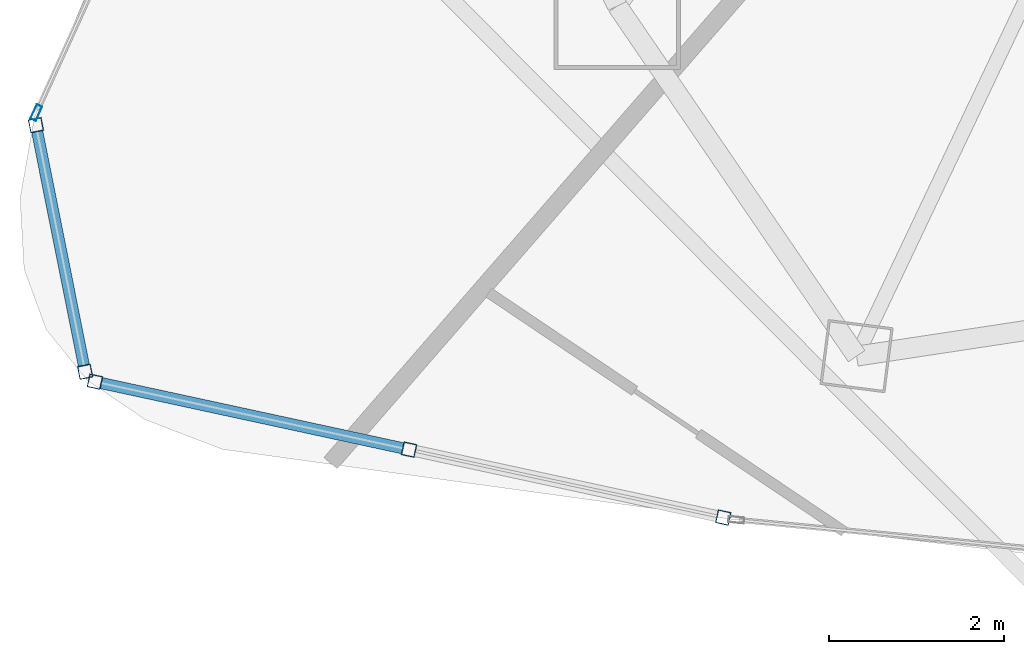
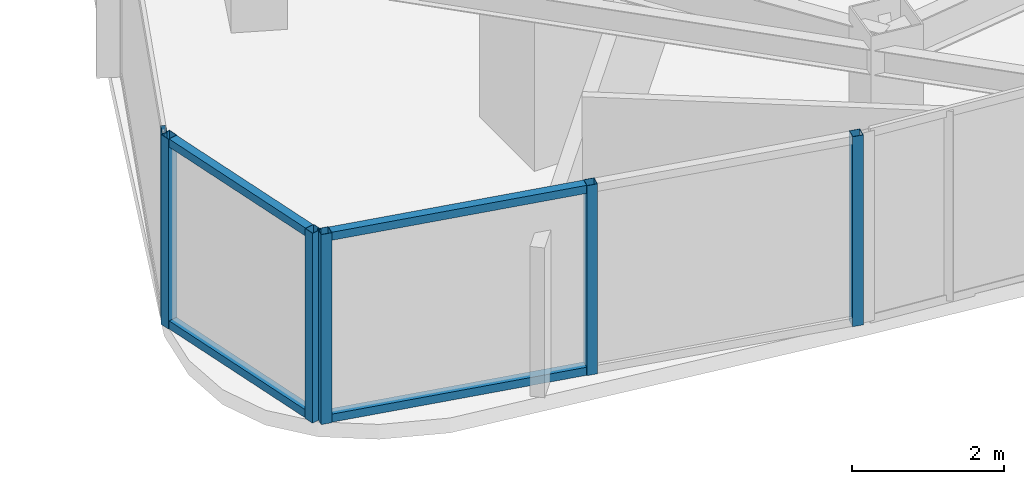
# One storey, part 2 of 30: 10 members, 3 elements without a shape of their own.
"""IFC4 building model written with IfcOpenShell, lengths in metres."""

from ifc_helpers import new_model, si_unit, direction, frame, origin, origin_2d, place, context, subcontext, project, spatial, hollow_rectangle, extrude, material, layer, layer_set, material_profile, profile_set, type_object, element, aggregate, save


model = new_model("IFC4")

# Units and contexts
model_context = context("Model", 3, precision=1e-05, world=origin(), true_north=direction((0.0, 1.0)))
body_context = subcontext(model_context, "Body", "Model", "MODEL_VIEW")
ifc_project = project(units=[si_unit("LENGTHUNIT", "METRE"), si_unit("AREAUNIT", "SQUARE_METRE"), si_unit("VOLUMEUNIT", "CUBIC_METRE"), si_unit("PLANEANGLEUNIT", "RADIAN"), si_unit("MASSUNIT", "GRAM", prefix="KILO")], contexts=[model_context])

# Site, building, storey
site_placement = place(None, origin())
site = spatial("IfcSite", under=ifc_project, at=site_placement, CompositionType="ELEMENT")
building_placement = place(site_placement, origin())
building = spatial("IfcBuilding", under=site, at=building_placement, Name="Orvanel Arch Residences", CompositionType="ELEMENT")
storey_placement = place(building_placement, frame((0.0, 0.0, 139.699951171875)))
storey = spatial("IfcBuildingStorey", under=building, at=storey_placement, Name="L39", CompositionType="ELEMENT", Elevation=139.699951171875)

# Curtain wall, members
ifc_material = material(Name="Bronze-anodised aluminium AA6063-T6", Category="aluminium")
ifc_layer_1 = layer(ifc_material, 0.18994140625)
ifc_layer_set_1 = layer_set([ifc_layer_1], Name="Bronze-anodised aluminium AA6063-T6")
curtain_wall_type_1 = type_object("IfcCurtainWallType", Name="CW5-CRN-SYS", PredefinedType="NOTDEFINED", material=ifc_layer_set_1)
curtain_wall_1_placement = place(storey_placement, origin())
curtain_wall_1 = element("IfcCurtainWall", 1, at=curtain_wall_1_placement, inside=storey, type_object=curtain_wall_type_1, Name="L39 CW5-CRN-SYS Unitised Curtain Wall", PredefinedType="NOTDEFINED")
ifc_material_profile_1 = material_profile(ifc_material, hollow_rectangle(XDim=0.14990234375, YDim=0.14990234375, WallThickness=0.0048828125, at=origin_2d()), Name="ALU150x150x5")
ifc_profile_set_1 = profile_set([ifc_material_profile_1], Name="Bronze-anodised aluminium AA6063-T6")
member_type_1 = type_object("IfcMemberType", Name="MUL-150x150", PredefinedType="MULLION", material=ifc_profile_set_1)
member_1_placement = place(storey_placement, frame((7.53759765625, 8.9853515625, 0.0), z_axis=(0.0, 0.0, 1.0), x_axis=(0.980682040612, 0.195608627675, 0.0)))
member_1 = element("IfcMember", 2, at=member_1_placement, type_object=member_type_1, Name="CW-S5 mullion 1", PredefinedType="MULLION", context=body_context, shape_type="SweptSolid", body=[
    extrude(hollow_rectangle(XDim=0.14990234375, YDim=0.14990234375, WallThickness=0.0048828125, at=origin_2d()), origin(), (0.0, 0.0, 1.0), 3.06005859375),
])
member_2_placement = place(storey_placement, frame((8.101318359375, 6.15966796875, 0.0), z_axis=(0.0, 0.0, 1.0), x_axis=(0.980682040612, 0.195608627675, 0.0)))
member_2 = element("IfcMember", 3, at=member_2_placement, type_object=member_type_1, Name="CW-S5 mullion 2", PredefinedType="MULLION", context=body_context, shape_type="SweptSolid", body=[
    extrude(hollow_rectangle(XDim=0.14990234375, YDim=0.14990234375, WallThickness=0.0048828125, at=origin_2d()), origin(), (0.0, 0.0, 1.0), 3.06005859375),
])

curtain_wall_2_placement = place(storey_placement, origin())
curtain_wall_2 = element("IfcCurtainWall", 4, at=curtain_wall_2_placement, inside=storey, type_object=curtain_wall_type_1, Name="L39 CW5-CRN-SYS Unitised Curtain Wall", PredefinedType="NOTDEFINED")
member_3_placement = place(storey_placement, frame((8.21337890625, 6.046142578125, 0.0), z_axis=(0.0, 0.0, 1.0), x_axis=(0.211391186041, 0.977401537989, 0.0)))
member_3 = element("IfcMember", 5, at=member_3_placement, type_object=member_type_1, Name="CW-S5 mullion 1", PredefinedType="MULLION", context=body_context, shape_type="SweptSolid", body=[
    extrude(hollow_rectangle(XDim=0.14990234375, YDim=0.14990234375, WallThickness=0.0048828125, at=origin_2d()), origin(), (0.0, 0.0, 1.0), 3.06005859375),
])
member_4_placement = place(storey_placement, frame((11.8134765625, 5.267578125, 0.0), z_axis=(0.0, 0.0, 1.0), x_axis=(0.211391186041, 0.977401537989, 0.0)))
member_4 = element("IfcMember", 6, at=member_4_placement, type_object=member_type_1, Name="CW-S5 mullion 2", PredefinedType="MULLION", context=body_context, shape_type="SweptSolid", body=[
    extrude(hollow_rectangle(XDim=0.14990234375, YDim=0.14990234375, WallThickness=0.0048828125, at=origin_2d()), origin(), (0.0, 0.0, 1.0), 3.06005859375),
])
member_5_placement = place(storey_placement, frame((15.41357421875, 4.48876953125, 0.0), z_axis=(0.0, 0.0, 1.0), x_axis=(0.211391186041, 0.977401537989, 0.0)))
member_5 = element("IfcMember", 7, at=member_5_placement, type_object=member_type_1, Name="CW-S5 mullion 3", PredefinedType="MULLION", context=body_context, shape_type="SweptSolid", body=[
    extrude(hollow_rectangle(XDim=0.14990234375, YDim=0.14990234375, WallThickness=0.0048828125, at=origin_2d()), origin(), (0.0, 0.0, 1.0), 3.06005859375),
])

# Curtain wall, member
ifc_layer_2 = layer(ifc_material, 0.179931640625)
ifc_layer_set_2 = layer_set([ifc_layer_2], Name="Bronze-anodised aluminium AA6063-T6")
curtain_wall_type_2 = type_object("IfcCurtainWallType", Name="CW3-MID-SYS", PredefinedType="NOTDEFINED", material=ifc_layer_set_2)
curtain_wall_3_placement = place(storey_placement, origin())
curtain_wall_3 = element("IfcCurtainWall", 8, at=curtain_wall_3_placement, inside=storey, type_object=curtain_wall_type_2, Name="L39 CW3-MID-SYS Unitised Curtain Wall", PredefinedType="NOTDEFINED")
ifc_material_profile_2 = material_profile(ifc_material, hollow_rectangle(XDim=0.070068359375, YDim=0.179931640625, WallThickness=0.00439453125, at=origin_2d()), Name="ALU180x70x4.5")
ifc_profile_set_2 = profile_set([ifc_material_profile_2], Name="Bronze-anodised aluminium AA6063-T6")
member_type_2 = type_object("IfcMemberType", Name="MUL-180x70", PredefinedType="MULLION", material=ifc_profile_set_2)
member_6_placement = place(storey_placement, frame((7.54150390625, 9.12890625, 0.0), z_axis=(0.0, 0.0, 1.0), x_axis=(0.910449142842, -0.413621032225, 0.0)))
member_6 = element("IfcMember", 9, at=member_6_placement, type_object=member_type_2, Name="CW-S3 mullion 4", PredefinedType="MULLION", context=body_context, shape_type="SweptSolid", body=[
    extrude(hollow_rectangle(XDim=0.070068359375, YDim=0.179931640625, WallThickness=0.00439453125, at=origin_2d()), origin(), (0.0, 0.0, 1.0), 3.06005859375),
])
aggregate(curtain_wall_3, [member_6])

# Member
ifc_material_profile_3 = material_profile(ifc_material, hollow_rectangle(XDim=0.1298828125, YDim=0.1298828125, WallThickness=0.00439453125, at=origin_2d()), Name="ALU130x130x4.5")
ifc_profile_set_3 = profile_set([ifc_material_profile_3], Name="Bronze-anodised aluminium AA6063-T6")
member_type_3 = type_object("IfcMemberType", Name="TRN-130x130", PredefinedType="USERDEFINED", material=ifc_profile_set_3)
member_7_placement = place(storey_placement, frame((7.55224609375, 8.911865234375, 0.06494140625), z_axis=(0.195652026594, -0.980673383186, 0.0), x_axis=(0.980673383186, 0.195652026594, 0.0)))
member_7 = element("IfcMember", 10, at=member_7_placement, type_object=member_type_3, Name="CW-S5 transom 1.1", ObjectType="TRANSOM", PredefinedType="USERDEFINED", context=body_context, shape_type="SweptSolid", body=[
    extrude(hollow_rectangle(XDim=0.1298828125, YDim=0.1298828125, WallThickness=0.00439453125, at=origin_2d()), origin(), (0.0, 0.0, 1.0), 2.7314453125),
])

member_8_placement = place(storey_placement, frame((7.55224609375, 8.911865234375, 2.9951171875), z_axis=(0.195652026594, -0.980673383186, 0.0), x_axis=(0.980673383186, 0.195652026594, 0.0)))
member_8 = element("IfcMember", 11, at=member_8_placement, type_object=member_type_3, Name="CW-S5 transom 1.2", ObjectType="TRANSOM", PredefinedType="USERDEFINED", context=body_context, shape_type="SweptSolid", body=[
    extrude(hollow_rectangle(XDim=0.1298828125, YDim=0.1298828125, WallThickness=0.00439453125, at=origin_2d()), origin(), (0.0, 0.0, 1.0), 2.7314453125),
])

aggregate(curtain_wall_1, [member_1, member_2, member_7, member_8])

member_9_placement = place(storey_placement, frame((8.28662109375, 6.0302734375, 0.06494140625), z_axis=(0.977408379086, -0.211359552639, 0.0), x_axis=(0.211359552639, 0.977408379086, 0.0)))
member_9 = element("IfcMember", 12, at=member_9_placement, type_object=member_type_3, Name="CW-S5 transom 1.1", ObjectType="TRANSOM", PredefinedType="USERDEFINED", context=body_context, shape_type="SweptSolid", body=[
    extrude(hollow_rectangle(XDim=0.1298828125, YDim=0.1298828125, WallThickness=0.00439453125, at=origin_2d()), origin(), (0.0, 0.0, 1.0), 3.533447265625),
])

member_10_placement = place(storey_placement, frame((8.28662109375, 6.0302734375, 2.9951171875), z_axis=(0.977408379086, -0.211359552639, 0.0), x_axis=(0.211359552639, 0.977408379086, 0.0)))
member_10 = element("IfcMember", 13, at=member_10_placement, type_object=member_type_3, Name="CW-S5 transom 1.2", ObjectType="TRANSOM", PredefinedType="USERDEFINED", context=body_context, shape_type="SweptSolid", body=[
    extrude(hollow_rectangle(XDim=0.1298828125, YDim=0.1298828125, WallThickness=0.00439453125, at=origin_2d()), origin(), (0.0, 0.0, 1.0), 3.533447265625),
])

aggregate(curtain_wall_2, [member_3, member_4, member_5, member_9, member_10])

save(model, "model.ifc")
